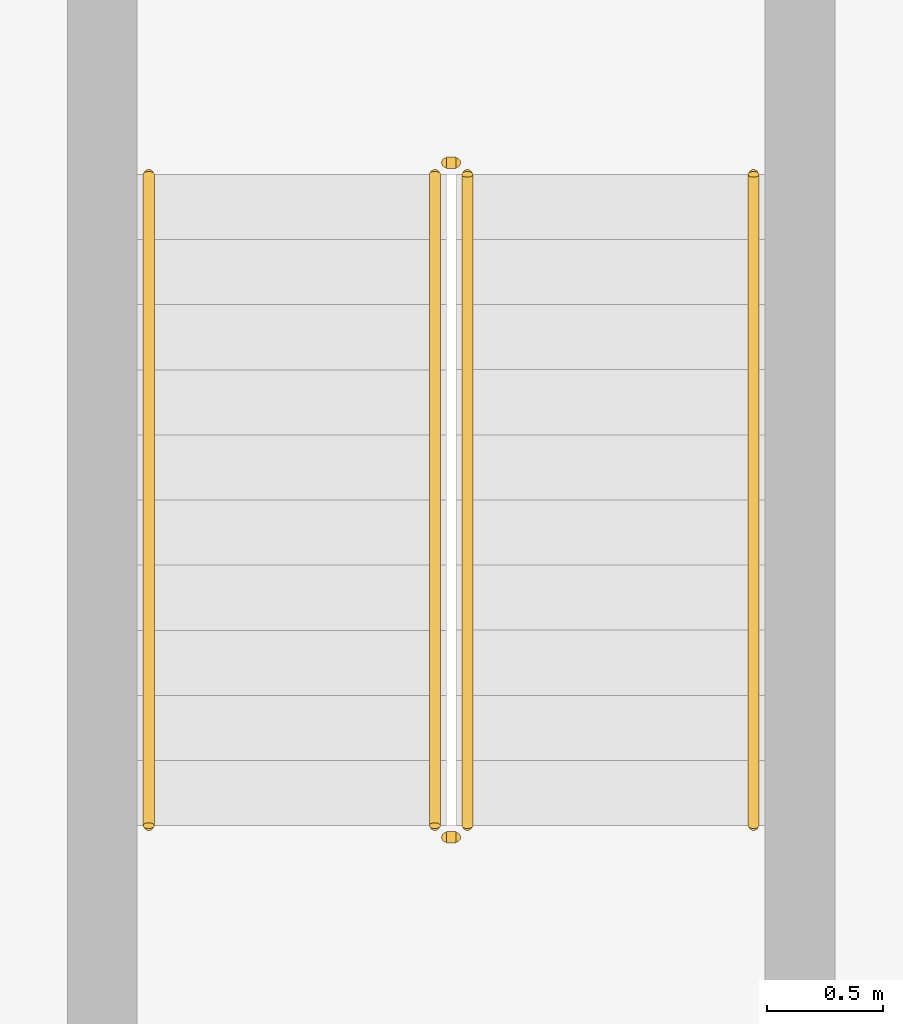
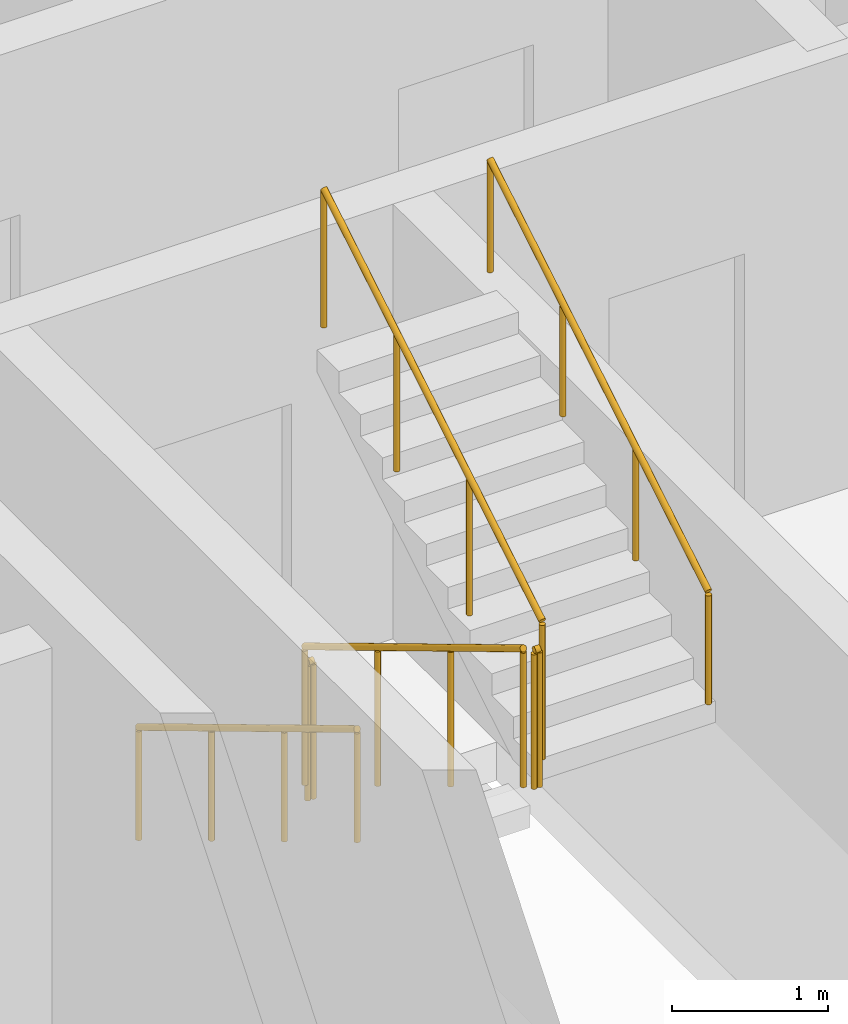
# One storey, part 29 of 31: 6 railings.
"""IFC4 building model written with IfcOpenShell, lengths in metres."""

from ifc_helpers import new_model, si_unit, direction, frame, origin, origin_2d, place, context, subcontext, project, spatial, circle, extrude, material, type_object, element, save


model = new_model("IFC4")

# Units and contexts
model_context = context("Model", 3, precision=1e-05, world=origin(), true_north=direction((0.0, 1.0)))
body_context = subcontext(model_context, "Body", "Model", "MODEL_VIEW")
ifc_project = project(units=[si_unit("LENGTHUNIT", "METRE"), si_unit("AREAUNIT", "SQUARE_METRE"), si_unit("VOLUMEUNIT", "CUBIC_METRE"), si_unit("PLANEANGLEUNIT", "RADIAN"), si_unit("MASSUNIT", "GRAM", prefix="KILO")], contexts=[model_context])

# Site, building, storey
site_placement = place(None, origin())
site = spatial("IfcSite", under=ifc_project, at=site_placement, CompositionType="ELEMENT")
building_placement = place(site_placement, origin())
building = spatial("IfcBuilding", under=site, at=building_placement, Name="Ogive Portal Towers", CompositionType="ELEMENT")
storey_placement = place(building_placement, frame((0.0, 0.0, 40.89990234375)))
storey = spatial("IfcBuildingStorey", under=building, at=storey_placement, Name="L08", CompositionType="ELEMENT", Elevation=40.89990234375)

# Railings
ifc_material_1 = material(Name="Stainless steel balustrade", Category="steel")
railing_type_1 = type_object("IfcRailingType", Name="INT-GUARD", PredefinedType="GUARDRAIL", material=ifc_material_1)
railing_1_placement = place(storey_placement, frame((88.280029296875, 29.169921875, 0.168212890625)))
element("IfcRailing", 1, at=railing_1_placement, inside=storey, type_object=railing_type_1, Name="L08 ST-A4 stair guard 1", PredefinedType="GUARDRAIL", context=body_context, shape_type="SweptSolid", body=[
    extrude(circle(Radius=0.02392578125, at=origin_2d()), frame((0.0, 0.0, 1.076171875), z_axis=(0.0, -0.857222391501, 0.514946377315), x_axis=(1.0, 0.0, 0.0)), (0.0, 0.0, 1.0), 3.26611328125),
    extrude(circle(Radius=0.02099609375, at=origin_2d()), origin(), (0.0, 0.0, 1.0), 1.052001953125),
    extrude(circle(Radius=0.02099609375, at=origin_2d()), frame((0.0, -0.933349609375, 0.560546875)), (0.0, 0.0, 1.0), 1.052001953125),
    extrude(circle(Radius=0.02099609375, at=origin_2d()), frame((0.0, -1.866455078125, 1.121337890625)), (0.0, 0.0, 1.0), 1.052001953125),
    extrude(circle(Radius=0.02099609375, at=origin_2d()), frame((0.0, -2.7998046875, 1.681884765625)), (0.0, 0.0, 1.0), 1.052001953125),
])
railing_2_placement = place(storey_placement, frame((88.330078125, 26.320068359375, 1.85009765625)))
element("IfcRailing", 2, at=railing_2_placement, inside=storey, type_object=railing_type_1, Name="L08 ST-A4 stair guard 2", PredefinedType="GUARDRAIL", context=body_context, shape_type="SweptSolid", body=[
    extrude(circle(Radius=0.02392578125, at=origin_2d()), frame((0.0, 0.0, 1.076171875), z_axis=(1.0, 0.0, 0.0), x_axis=(0.0, 1.0, 0.0)), (0.0, 0.0, 1.0), 0.0400390625),
    extrude(circle(Radius=0.02099609375, at=origin_2d()), origin(), (0.0, 0.0, 1.0), 1.052001953125),
    extrude(circle(Radius=0.02099609375, at=origin_2d()), frame((0.0400390625, 0.0, 0.0)), (0.0, 0.0, 1.0), 1.052001953125),
])
railing_3_placement = place(storey_placement, frame((88.419921875, 26.3701171875, 2.018310546875)))
element("IfcRailing", 3, at=railing_3_placement, inside=storey, type_object=railing_type_1, Name="L08 ST-A4 stair guard 3", PredefinedType="GUARDRAIL", context=body_context, shape_type="SweptSolid", body=[
    extrude(circle(Radius=0.02392578125, at=origin_2d()), frame((0.0, 0.0, 1.076171875), z_axis=(0.0, 0.857222391501, 0.514946377315), x_axis=(-1.0, 0.0, 0.0)), (0.0, 0.0, 1.0), 3.26611328125),
    extrude(circle(Radius=0.02099609375, at=origin_2d()), origin(), (0.0, 0.0, 1.0), 1.052001953125),
    extrude(circle(Radius=0.02099609375, at=origin_2d()), frame((0.0, 0.933349609375, 0.560546875)), (0.0, 0.0, 1.0), 1.052001953125),
    extrude(circle(Radius=0.02099609375, at=origin_2d()), frame((0.0, 1.866455078125, 1.121337890625)), (0.0, 0.0, 1.0), 1.052001953125),
    extrude(circle(Radius=0.02099609375, at=origin_2d()), frame((0.0, 2.7998046875, 1.681884765625)), (0.0, 0.0, 1.0), 1.052001953125),
])
railing_4_placement = place(storey_placement, frame((88.330078125, 29.219970703125, 0.0)))
element("IfcRailing", 4, at=railing_4_placement, inside=storey, type_object=railing_type_1, Name="L08 ST-A4 stair guard 4", PredefinedType="GUARDRAIL", context=body_context, shape_type="SweptSolid", body=[
    extrude(circle(Radius=0.02392578125, at=origin_2d()), frame((0.0, 0.0, 1.076171875), z_axis=(1.0, 0.0, 0.0), x_axis=(0.0, 1.0, 0.0)), (0.0, 0.0, 1.0), 0.0400390625),
    extrude(circle(Radius=0.02099609375, at=origin_2d()), origin(), (0.0, 0.0, 1.0), 1.052001953125),
    extrude(circle(Radius=0.02099609375, at=origin_2d()), frame((0.0400390625, 0.0, 0.0)), (0.0, 0.0, 1.0), 1.052001953125),
])
ifc_material_2 = material(Name="Stainless steel handrail", Category="steel")
railing_type_2 = type_object("IfcRailingType", Name="INT-HANDRAIL", PredefinedType="HANDRAIL", material=ifc_material_2)
railing_5_placement = place(storey_placement, frame((87.050048828125, 29.169921875, 0.168212890625)))
element("IfcRailing", 5, at=railing_5_placement, inside=storey, type_object=railing_type_2, Name="L08 ST-A4 stair handrail 1", PredefinedType="HANDRAIL", context=body_context, shape_type="SweptSolid", body=[
    extrude(circle(Radius=0.02392578125, at=origin_2d()), frame((0.0, 0.0, 0.8759765625), z_axis=(0.0, -0.857222391501, 0.514946377315), x_axis=(1.0, 0.0, 0.0)), (0.0, 0.0, 1.0), 3.26611328125),
    extrude(circle(Radius=0.02099609375, at=origin_2d()), origin(), (0.0, 0.0, 1.0), 0.851806640625),
    extrude(circle(Radius=0.02099609375, at=origin_2d()), frame((0.0, -0.933349609375, 0.560546875)), (0.0, 0.0, 1.0), 0.851806640625),
    extrude(circle(Radius=0.02099609375, at=origin_2d()), frame((0.0, -1.866455078125, 1.121337890625)), (0.0, 0.0, 1.0), 0.851806640625),
    extrude(circle(Radius=0.02099609375, at=origin_2d()), frame((0.0, -2.7998046875, 1.681884765625)), (0.0, 0.0, 1.0), 0.851806640625),
])
railing_6_placement = place(storey_placement, frame((89.64990234375, 26.3701171875, 2.018310546875)))
element("IfcRailing", 6, at=railing_6_placement, inside=storey, type_object=railing_type_2, Name="L08 ST-A4 stair handrail 2", PredefinedType="HANDRAIL", context=body_context, shape_type="SweptSolid", body=[
    extrude(circle(Radius=0.02392578125, at=origin_2d()), frame((0.0, 0.0, 0.8759765625), z_axis=(0.0, 0.857222391501, 0.514946377315), x_axis=(-1.0, 0.0, 0.0)), (0.0, 0.0, 1.0), 3.26611328125),
    extrude(circle(Radius=0.02099609375, at=origin_2d()), origin(), (0.0, 0.0, 1.0), 0.851806640625),
    extrude(circle(Radius=0.02099609375, at=origin_2d()), frame((0.0, 0.933349609375, 0.560546875)), (0.0, 0.0, 1.0), 0.851806640625),
    extrude(circle(Radius=0.02099609375, at=origin_2d()), frame((0.0, 1.866455078125, 1.121337890625)), (0.0, 0.0, 1.0), 0.851806640625),
    extrude(circle(Radius=0.02099609375, at=origin_2d()), frame((0.0, 2.7998046875, 1.681884765625)), (0.0, 0.0, 1.0), 0.851806640625),
])

save(model, "model.ifc")
